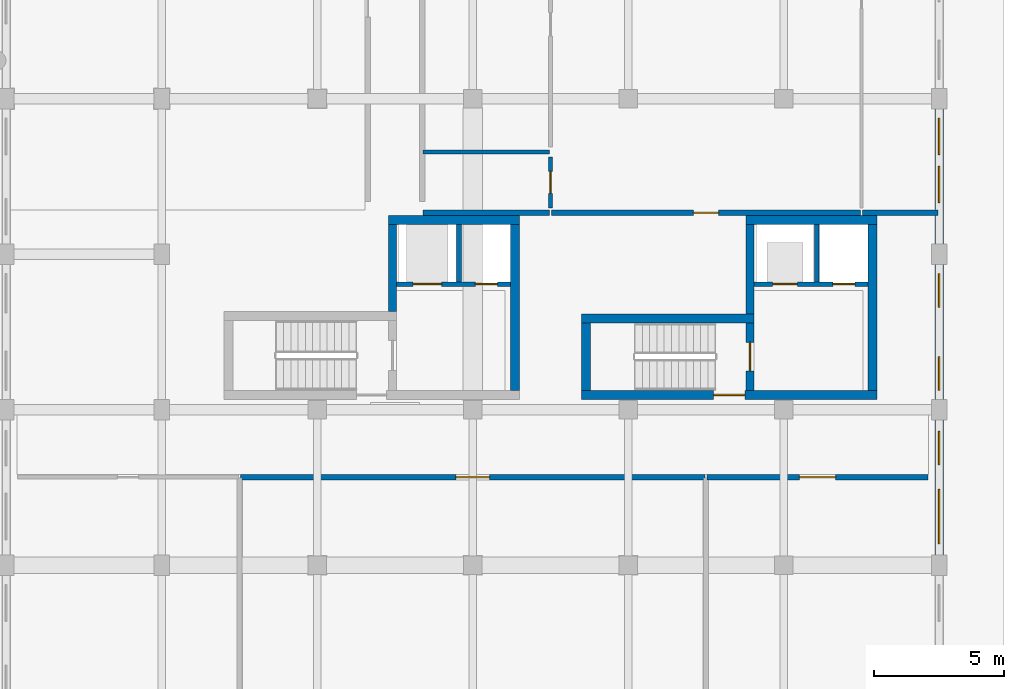
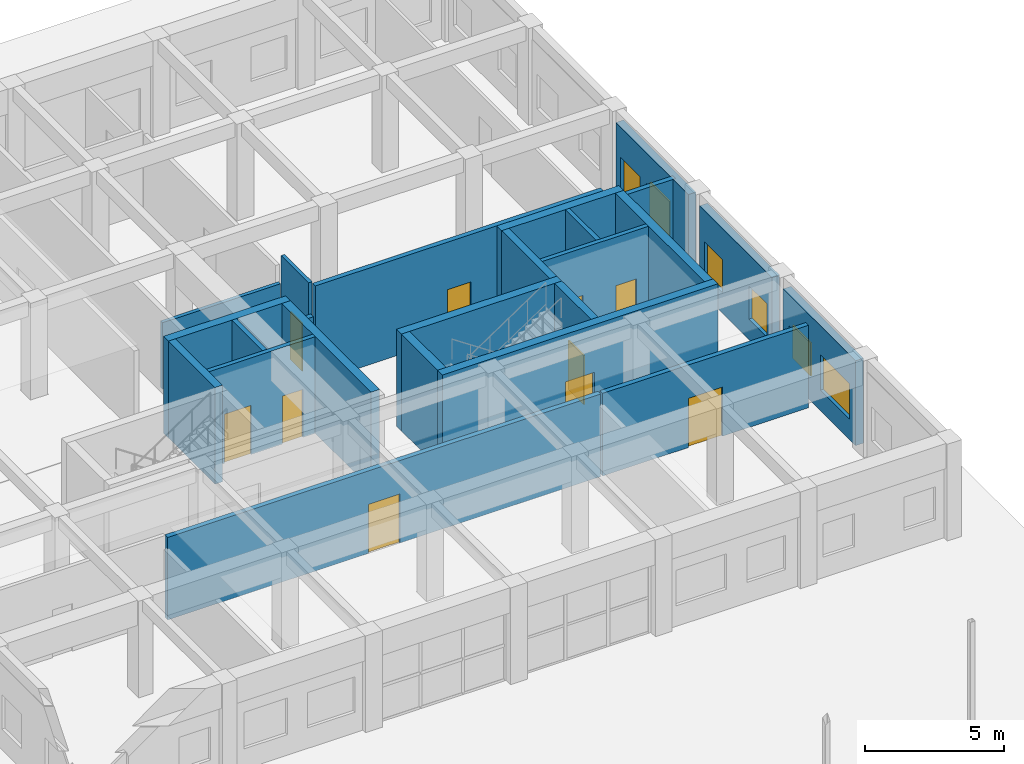
# One storey, part 62 of 76: 24 walls, 10 doors, 6 windows, 16 openings.
"""IFC4 building model written with IfcOpenShell, lengths in metres."""

from ifc_helpers import new_model, si_unit, direction, frame, frame_2d, origin, place, context, subcontext, project, spatial, rectangle, extrude, material, layer, layer_set, type_object, element, fill, save


model = new_model("IFC4")

# Units and contexts
model_context = context("Model", 3, precision=1e-05, world=origin(), true_north=direction((0.0, 1.0)))
body_context = subcontext(model_context, "Body", "Model", "MODEL_VIEW")
ifc_project = project(units=[si_unit("LENGTHUNIT", "METRE"), si_unit("AREAUNIT", "SQUARE_METRE"), si_unit("VOLUMEUNIT", "CUBIC_METRE"), si_unit("PLANEANGLEUNIT", "RADIAN"), si_unit("MASSUNIT", "GRAM", prefix="KILO"), si_unit("POWERUNIT", "WATT"), si_unit("THERMODYNAMICTEMPERATUREUNIT", "KELVIN")], contexts=[model_context])

# Site, building, storey
site_placement = place(None, origin())
site = spatial("IfcSite", under=ifc_project, at=site_placement, CompositionType="ELEMENT")
building_placement = place(site_placement, origin())
building = spatial("IfcBuilding", under=site, at=building_placement, Name="Ruvembo Vaulted Housing Court", CompositionType="ELEMENT")
storey_placement = place(building_placement, origin())
storey = spatial("IfcBuildingStorey", under=building, at=storey_placement, Name="L00", CompositionType="ELEMENT", Elevation=0.0)

# Wall
ifc_material_1 = material(Name="Concrete C35/45", Category="concrete")
ifc_layer_1 = layer(ifc_material_1, 0.300048828125, Name="Concrete C35/45")
ifc_layer_set_1 = layer_set([ifc_layer_1], Name="Concrete C35/45")
wall_type_1 = type_object("IfcWallType", Name="WL-CORE-300", PredefinedType="SHEAR", material=ifc_layer_set_1)
wall_1_placement = place(storey_placement, frame((164.89990234375, 87.800048828125, 0.0), z_axis=(0.0, 0.0, 1.0), x_axis=(0.0, 1.0, 0.0)))
element("IfcWall", 1, at=wall_1_placement, inside=storey, type_object=wall_type_1, Name="Core D1 L00 Upper West Shear Wall", PredefinedType="SHEAR", context=body_context, shape_type="SweptSolid", body=[
    extrude(rectangle(XDim=3.349853515625, YDim=0.300048828125, at=frame_2d((1.6748046875, 0.0))), origin(), (0.0, 0.0, 1.0), 4.22998046875),
])

# Wall, opening, door
wall_2_placement = place(storey_placement, frame((178.699951171875, 84.75, 0.0), z_axis=(0.0, 0.0, 1.0), x_axis=(0.0, 1.0, 0.0)))
wall_2 = element("IfcWall", 2, at=wall_2_placement, inside=storey, type_object=wall_type_1, Name="Core D2 L00 Stair-Lobby Shear Wall", PredefinedType="SHEAR", context=body_context, shape_type="SweptSolid", body=[
    extrude(rectangle(XDim=2.60009765625, YDim=0.300048828125, at=frame_2d((1.300048828125, 0.0))), origin(), (0.0, 0.0, 1.0), 4.22998046875),
])
opening_1_placement = place(wall_2_placement, frame((0.75, 0.0, 0.0)))
opening_1 = element("IfcOpeningElement", 3, at=opening_1_placement, cuts=wall_2, Name="Opening SD2", PredefinedType="OPENING", context=body_context, shape_type="SweptSolid", body=[
    extrude(rectangle(XDim=1.10009765625, YDim=2.14990234375, at=frame_2d((0.550048828125, 1.074951171875))), frame((0.0, 0.159912109375, 0.0), z_axis=(0.0, -1.0, 0.0), x_axis=(1.0, 0.0, 0.0)), (0.0, 0.0, 1.0), 0.320068359375),
])
ifc_material_2 = material(Name="Galvanised Painted Steel", Category="steel")
door_type_1 = type_object("IfcDoorType", Name="DR-STAIR-1100x2150", OperationType="NOTDEFINED", PredefinedType="DOOR", material=ifc_material_2)
door_1_placement = place(opening_1_placement, origin())
door_1 = element("IfcDoor", 4, at=door_1_placement, inside=storey, type_object=door_type_1, Name="Stair ST-D2 L00 Fire Door", OperationType="SINGLE_SWING_LEFT", OverallHeight=2.14990234375, OverallWidth=1.10009765625, PredefinedType="DOOR", context=body_context, shape_type="SweptSolid", body=[
    extrude(rectangle(XDim=1.10009765625, YDim=2.14990234375, at=frame_2d((0.550048828125, 1.074951171875))), frame((0.0, 0.02490234375, 0.0), z_axis=(0.0, -1.0, 0.0), x_axis=(1.0, 0.0, 0.0)), (0.0, 0.0, 1.0), 0.050048828125),
])
fill(opening_1, door_1)

# Walls
wall_3_placement = place(storey_placement, frame((178.699951171875, 87.699951171875, 0.0), z_axis=(0.0, 0.0, 1.0), x_axis=(0.0, 1.0, 0.0)))
element("IfcWall", 5, at=wall_3_placement, inside=storey, type_object=wall_type_1, Name="Core D2 L00 Upper West Shear Wall", PredefinedType="SHEAR", context=body_context, shape_type="SweptSolid", body=[
    extrude(rectangle(XDim=3.449951171875, YDim=0.300048828125, at=frame_2d((1.72509765625, 0.0))), origin(), (0.0, 0.0, 1.0), 4.22998046875),
])
ifc_layer_2 = layer(ifc_material_1, 0.35009765625, Name="Concrete C35/45")
ifc_layer_set_2 = layer_set([ifc_layer_2], Name="Concrete C35/45")
wall_type_2 = type_object("IfcWallType", Name="WL-CORE-350", PredefinedType="SHEAR", material=ifc_layer_set_2)
wall_4_placement = place(storey_placement, frame((169.800048828125, 91.324951171875, 0.0), z_axis=(0.0, 0.0, 1.0), x_axis=(-1.0, 0.0, 0.0)))
element("IfcWall", 6, at=wall_4_placement, inside=storey, type_object=wall_type_2, Name="Core D1 L00 North Shear Wall", PredefinedType="SHEAR", context=body_context, shape_type="SweptSolid", body=[
    extrude(rectangle(XDim=5.050048828125, YDim=0.35009765625, at=frame_2d((2.52490234375, 0.0))), origin(), (0.0, 0.0, 1.0), 4.22998046875),
])
wall_5_placement = place(storey_placement, frame((169.625, 84.75, 0.0), z_axis=(0.0, 0.0, 1.0), x_axis=(0.0, 1.0, 0.0)))
element("IfcWall", 7, at=wall_5_placement, inside=storey, type_object=wall_type_2, Name="Core D1 L00 East Shear Wall", PredefinedType="SHEAR", context=body_context, shape_type="SweptSolid", body=[
    extrude(rectangle(XDim=6.39990234375, YDim=0.35009765625, at=frame_2d((3.199951171875, 0.0))), origin(), (0.0, 0.0, 1.0), 4.22998046875),
])

# Wall, opening, door
wall_6_placement = place(storey_placement, frame((172.199951171875, 84.574951171875, 0.0), z_axis=(0.0, 0.0, 1.0), x_axis=(1.0, 0.0, 0.0)))
wall_6 = element("IfcWall", 8, at=wall_6_placement, inside=storey, type_object=wall_type_2, Name="Core D2 L00 South Shear Wall", PredefinedType="SHEAR", context=body_context, shape_type="SweptSolid", body=[
    extrude(rectangle(XDim=11.400146484375, YDim=0.35009765625, at=frame_2d((5.7001953125, 0.0))), origin(), (0.0, 0.0, 1.0), 4.22998046875),
])
opening_2_placement = place(wall_6_placement, frame((5.10009765625, 0.0, 0.0)))
opening_2 = element("IfcOpeningElement", 9, at=opening_2_placement, cuts=wall_6, Name="Opening LD3", PredefinedType="OPENING", context=body_context, shape_type="SweptSolid", body=[
    extrude(rectangle(XDim=1.199951171875, YDim=2.14990234375, at=frame_2d((0.60009765625, 1.074951171875))), frame((0.0, 0.18505859375, 0.0), z_axis=(0.0, -1.0, 0.0), x_axis=(1.0, 0.0, 0.0)), (0.0, 0.0, 1.0), 0.3701171875),
])
door_type_2 = type_object("IfcDoorType", Name="DR-LOB-1200x2150", OperationType="NOTDEFINED", PredefinedType="DOOR", material=ifc_material_2)
door_2_placement = place(opening_2_placement, origin())
door_2 = element("IfcDoor", 10, at=door_2_placement, inside=storey, type_object=door_type_2, Name="Core D2 L00 Lobby Fire Door", OperationType="SINGLE_SWING_RIGHT", OverallHeight=2.14990234375, OverallWidth=1.199951171875, PredefinedType="DOOR", context=body_context, shape_type="SweptSolid", body=[
    extrude(rectangle(XDim=1.199951171875, YDim=2.14990234375, at=frame_2d((0.60009765625, 1.074951171875))), frame((0.0, 0.02490234375, 0.0), z_axis=(0.0, -1.0, 0.0), x_axis=(1.0, 0.0, 0.0)), (0.0, 0.0, 1.0), 0.050048828125),
])
fill(opening_2, door_2)

# Walls
wall_7_placement = place(storey_placement, frame((178.85009765625, 87.52490234375, 0.0), z_axis=(0.0, 0.0, 1.0), x_axis=(-1.0, 0.0, 0.0)))
element("IfcWall", 11, at=wall_7_placement, inside=storey, type_object=wall_type_2, Name="Core D2 L00 Stair North Shear Wall", PredefinedType="SHEAR", context=body_context, shape_type="SweptSolid", body=[
    extrude(rectangle(XDim=6.650146484375, YDim=0.35009765625, at=frame_2d((3.3251953125, 0.0))), origin(), (0.0, 0.0, 1.0), 4.22998046875),
])
wall_8_placement = place(storey_placement, frame((172.375, 87.35009765625, 0.0), z_axis=(0.0, 0.0, 1.0), x_axis=(0.0, -1.0, 0.0)))
element("IfcWall", 12, at=wall_8_placement, inside=storey, type_object=wall_type_2, Name="Core D2 L00 Stair West Shear Wall", PredefinedType="SHEAR", context=body_context, shape_type="SweptSolid", body=[
    extrude(rectangle(XDim=2.60009765625, YDim=0.35009765625, at=frame_2d((1.300048828125, 0.0))), origin(), (0.0, 0.0, 1.0), 4.22998046875),
])
wall_9_placement = place(storey_placement, frame((183.60009765625, 91.324951171875, 0.0), z_axis=(0.0, 0.0, 1.0), x_axis=(-1.0, 0.0, 0.0)))
element("IfcWall", 13, at=wall_9_placement, inside=storey, type_object=wall_type_2, Name="Core D2 L00 North Shear Wall", PredefinedType="SHEAR", context=body_context, shape_type="SweptSolid", body=[
    extrude(rectangle(XDim=5.050048828125, YDim=0.35009765625, at=frame_2d((2.52490234375, 0.0))), origin(), (0.0, 0.0, 1.0), 4.22998046875),
])
wall_10_placement = place(storey_placement, frame((183.425048828125, 84.75, 0.0), z_axis=(0.0, 0.0, 1.0), x_axis=(0.0, 1.0, 0.0)))
element("IfcWall", 14, at=wall_10_placement, inside=storey, type_object=wall_type_2, Name="Core D2 L00 East Shear Wall", PredefinedType="SHEAR", context=body_context, shape_type="SweptSolid", body=[
    extrude(rectangle(XDim=6.39990234375, YDim=0.35009765625, at=frame_2d((3.199951171875, 0.0))), origin(), (0.0, 0.0, 1.0), 4.22998046875),
])

# Wall, opening, door
ifc_material_3 = material(Name="Concrete Blockwork 200", Category="masonry")
ifc_layer_3 = layer(ifc_material_3, 0.199951171875, Name="Concrete Blockwork 200")
ifc_layer_set_3 = layer_set([ifc_layer_3], Name="Concrete Blockwork 200")
wall_type_3 = type_object("IfcWallType", Name="WL-CORR-200", PredefinedType="SOLIDWALL", material=ifc_layer_set_3)
wall_11_placement = place(storey_placement, frame((159.0400390625, 81.39990234375, 0.0), z_axis=(0.0, 0.0, 1.0), x_axis=(1.0, 0.0, 0.0)))
wall_11 = element("IfcWall", 15, at=wall_11_placement, inside=storey, type_object=wall_type_3, Name="L00 Block D Lobby WL-INT-L00-00143", PredefinedType="SOLIDWALL", context=body_context, shape_type="SweptSolid", body=[
    extrude(rectangle(XDim=17.919921875, YDim=0.199951171875, at=frame_2d((8.9599609375, 0.0))), origin(), (0.0, 0.0, 1.0), 3.612060546875),
])
opening_3_placement = place(wall_11_placement, frame((8.31005859375, 0.0, 0.0)))
opening_3 = element("IfcOpeningElement", 16, at=opening_3_placement, cuts=wall_11, Name="Opening CD2", PredefinedType="OPENING", context=body_context, shape_type="SweptSolid", body=[
    extrude(rectangle(XDim=1.300048828125, YDim=2.14990234375, at=frame_2d((0.64990234375, 1.074951171875))), frame((0.0, 0.10986328125, 0.0), z_axis=(0.0, -1.0, 0.0), x_axis=(1.0, 0.0, 0.0)), (0.0, 0.0, 1.0), 0.219970703125),
])
ifc_material_4 = material(Name="FSC Hardwood and Engineered Timber", Category="wood")
door_type_3 = type_object("IfcDoorType", Name="DR-CIVIC-1300x2150", OperationType="NOTDEFINED", PredefinedType="DOOR", material=ifc_material_4)
door_3_placement = place(opening_3_placement, origin())
door_3 = element("IfcDoor", 17, at=door_3_placement, inside=storey, type_object=door_type_3, Name="L00 Block D Lobby Door DR-INT-L00-00067", OperationType="SINGLE_SWING_LEFT", OverallHeight=2.14990234375, OverallWidth=1.300048828125, PredefinedType="DOOR", context=body_context, shape_type="SweptSolid", body=[
    extrude(rectangle(XDim=1.300048828125, YDim=2.14990234375, at=frame_2d((0.64990234375, 1.074951171875))), frame((0.0, 0.02490234375, 0.0), z_axis=(0.0, -1.0, 0.0), x_axis=(1.0, 0.0, 0.0)), (0.0, 0.0, 1.0), 0.050048828125),
])
fill(opening_3, door_3)

wall_12_placement = place(storey_placement, frame((177.0400390625, 81.39990234375, 0.0), z_axis=(0.0, 0.0, 1.0), x_axis=(1.0, 0.0, 0.0)))
wall_12 = element("IfcWall", 18, at=wall_12_placement, inside=storey, type_object=wall_type_3, Name="L00 Mobility Hub D WL-INT-L00-00145", PredefinedType="SOLIDWALL", context=body_context, shape_type="SweptSolid", body=[
    extrude(rectangle(XDim=8.52001953125, YDim=0.199951171875, at=frame_2d((4.260009765625, 0.0))), origin(), (0.0, 0.0, 1.0), 3.612060546875),
])
opening_4_placement = place(wall_12_placement, frame((3.56005859375, 0.0, 0.0)))
opening_4 = element("IfcOpeningElement", 19, at=opening_4_placement, cuts=wall_12, Name="Opening CD1", PredefinedType="OPENING", context=body_context, shape_type="SweptSolid", body=[
    extrude(rectangle(XDim=1.39990234375, YDim=2.14990234375, at=frame_2d((0.699951171875, 1.074951171875))), frame((0.0, 0.10986328125, 0.0), z_axis=(0.0, -1.0, 0.0), x_axis=(1.0, 0.0, 0.0)), (0.0, 0.0, 1.0), 0.219970703125),
])
door_type_4 = type_object("IfcDoorType", Name="DR-CIVIC-1400x2150", OperationType="NOTDEFINED", PredefinedType="DOOR", material=ifc_material_4)
door_4_placement = place(opening_4_placement, origin())
door_4 = element("IfcDoor", 20, at=door_4_placement, inside=storey, type_object=door_type_4, Name="L00 Mobility Hub D Door DR-INT-L00-00068", OperationType="SINGLE_SWING_RIGHT", OverallHeight=2.14990234375, OverallWidth=1.39990234375, PredefinedType="DOOR", context=body_context, shape_type="SweptSolid", body=[
    extrude(rectangle(XDim=1.39990234375, YDim=2.14990234375, at=frame_2d((0.699951171875, 1.074951171875))), frame((0.0, 0.02490234375, 0.0), z_axis=(0.0, -1.0, 0.0), x_axis=(1.0, 0.0, 0.0)), (0.0, 0.0, 1.0), 0.050048828125),
])
fill(opening_4, door_4)

# Wall
wall_13_placement = place(storey_placement, frame((166.090087890625, 91.60009765625, 0.0), z_axis=(0.0, 0.0, 1.0), x_axis=(1.0, 0.0, 0.0)))
element("IfcWall", 21, at=wall_13_placement, inside=storey, type_object=wall_type_3, Name="L00 Flat D01 Corridor Wall WL-INT-L00-00147", PredefinedType="SOLIDWALL", context=body_context, shape_type="SweptSolid", body=[
    extrude(rectangle(XDim=4.869873046875, YDim=0.199951171875, at=frame_2d((2.43505859375, 0.0))), origin(), (0.0, 0.0, 1.0), 2.912109375),
])

# Wall, opening, door
wall_14_placement = place(storey_placement, frame((171.0400390625, 91.60009765625, 0.0), z_axis=(0.0, 0.0, 1.0), x_axis=(1.0, 0.0, 0.0)))
wall_14 = element("IfcWall", 22, at=wall_14_placement, inside=storey, type_object=wall_type_3, Name="L00 Flat D01 Entrance WL-INT-L00-00148", PredefinedType="SOLIDWALL", context=body_context, shape_type="SweptSolid", body=[
    extrude(rectangle(XDim=11.919921875, YDim=0.199951171875, at=frame_2d((5.9599609375, 0.0))), origin(), (0.0, 0.0, 1.0), 4.22998046875),
])
opening_5_placement = place(wall_14_placement, frame((5.469970703125, 0.0, 0.0)))
opening_5 = element("IfcOpeningElement", 23, at=opening_5_placement, cuts=wall_14, Name="Opening FD2", PredefinedType="OPENING", context=body_context, shape_type="SweptSolid", body=[
    extrude(rectangle(XDim=0.97998046875, YDim=2.14990234375, at=frame_2d((0.489990234375, 1.074951171875))), frame((0.0, 0.10986328125, 0.0), z_axis=(0.0, -1.0, 0.0), x_axis=(1.0, 0.0, 0.0)), (0.0, 0.0, 1.0), 0.219970703125),
])
door_type_5 = type_object("IfcDoorType", Name="DR-FLAT-0980x2150", OperationType="NOTDEFINED", PredefinedType="DOOR", material=ifc_material_4)
door_5_placement = place(opening_5_placement, origin())
door_5 = element("IfcDoor", 24, at=door_5_placement, inside=storey, type_object=door_type_5, Name="L00 Flat D01 Entrance Door DR-INT-L00-00070", OperationType="SINGLE_SWING_RIGHT", OverallHeight=2.14990234375, OverallWidth=0.97998046875, PredefinedType="DOOR", context=body_context, shape_type="SweptSolid", body=[
    extrude(rectangle(XDim=0.97998046875, YDim=2.14990234375, at=frame_2d((0.489990234375, 1.074951171875))), frame((0.0, 0.02490234375, 0.0), z_axis=(0.0, -1.0, 0.0), x_axis=(1.0, 0.0, 0.0)), (0.0, 0.0, 1.0), 0.050048828125),
])
fill(opening_5, door_5)

# Wall
wall_15_placement = place(storey_placement, frame((183.0400390625, 91.60009765625, 0.0), z_axis=(0.0, 0.0, 1.0), x_axis=(1.0, 0.0, 0.0)))
element("IfcWall", 25, at=wall_15_placement, inside=storey, type_object=wall_type_3, Name="L00 Flat D01 Corridor Wall 2 WL-INT-L00-00154", PredefinedType="SOLIDWALL", context=body_context, shape_type="SweptSolid", body=[
    extrude(rectangle(XDim=2.919921875, YDim=0.199951171875, at=frame_2d((1.4599609375, 0.0))), origin(), (0.0, 0.0, 1.0), 3.7119140625),
])

# Wall, openings, windows
ifc_material_5 = material(Name="Rendered Masonry 320", Category="masonry")
ifc_layer_4 = layer(ifc_material_5, 0.320068359375, Name="Rendered Masonry 320")
ifc_layer_set_4 = layer_set([ifc_layer_4], Name="Rendered Masonry 320")
wall_type_4 = type_object("IfcWallType", Name="WL-EXT-320", PredefinedType="STANDARD", material=ifc_layer_set_4)
wall_16_placement = place(storey_placement, frame((186.0, 78.39990234375, 0.0), z_axis=(0.0, 0.0, 1.0), x_axis=(0.0, 1.0, 0.0)))
wall_16 = element("IfcWall", 26, at=wall_16_placement, inside=storey, type_object=wall_type_4, Name="Block D L00 Exterior Wall EAST #2", PredefinedType="STANDARD", context=body_context, shape_type="SweptSolid", body=[
    extrude(rectangle(XDim=5.2001953125, YDim=0.320068359375, at=frame_2d((2.60009765625, 0.0))), origin(), (0.0, 0.0, 1.0), 3.7119140625),
])
opening_6_placement = place(wall_16_placement, frame((0.429931640625, 0.0, 0.89990234375)))
opening_6 = element("IfcOpeningElement", 27, at=opening_6_placement, cuts=wall_16, Name="Opening W25", PredefinedType="OPENING", context=body_context, shape_type="SweptSolid", body=[
    extrude(rectangle(XDim=2.10009765625, YDim=1.550048828125, at=frame_2d((1.050048828125, 0.77490234375))), frame((0.0, 0.169921875, 0.0), z_axis=(0.0, -1.0, 0.0), x_axis=(1.0, 0.0, 0.0)), (0.0, 0.0, 1.0), 0.340087890625),
])
opening_7_placement = place(wall_16_placement, frame((3.469970703125, 0.0, 0.89990234375)))
opening_7 = element("IfcOpeningElement", 28, at=opening_7_placement, cuts=wall_16, Name="Opening W15", PredefinedType="OPENING", context=body_context, shape_type="SweptSolid", body=[
    extrude(rectangle(XDim=1.300048828125, YDim=1.449951171875, at=frame_2d((0.64990234375, 0.72509765625))), frame((0.0, 0.169921875, 0.0), z_axis=(0.0, -1.0, 0.0), x_axis=(1.0, 0.0, 0.0)), (0.0, 0.0, 1.0), 0.340087890625),
])
ifc_material_6 = material(Name="Double Solar-Control Glazing in Aluminium Frame", Category="aluminium")
window_type_1 = type_object("IfcWindowType", Name="WIN-1300x1450", PartitioningType="SINGLE_PANEL", PredefinedType="WINDOW", material=ifc_material_6)
window_1_placement = place(opening_7_placement, origin())
window_1 = element("IfcWindow", 29, at=window_1_placement, inside=storey, type_object=window_type_1, Name="Block D L00 Window #1458", OverallHeight=1.449951171875, OverallWidth=1.300048828125, PartitioningType="SINGLE_PANEL", PredefinedType="WINDOW", context=body_context, shape_type="SweptSolid", body=[
    extrude(rectangle(XDim=1.300048828125, YDim=1.449951171875, at=frame_2d((0.64990234375, 0.72509765625))), frame((0.0, 0.030029296875, 0.0), z_axis=(0.0, -1.0, 0.0), x_axis=(1.0, 0.0, 0.0)), (0.0, 0.0, 1.0), 0.06005859375),
])
fill(opening_7, window_1)
window_type_2 = type_object("IfcWindowType", Name="WIN-2100x1550", PartitioningType="SINGLE_PANEL", PredefinedType="WINDOW", material=ifc_material_6)
window_2_placement = place(opening_6_placement, origin())
window_2 = element("IfcWindow", 30, at=window_2_placement, inside=storey, type_object=window_type_2, Name="Block D L00 Window #1457", OverallHeight=1.550048828125, OverallWidth=2.10009765625, PartitioningType="SINGLE_PANEL", PredefinedType="WINDOW", context=body_context, shape_type="SweptSolid", body=[
    extrude(rectangle(XDim=2.10009765625, YDim=1.550048828125, at=frame_2d((1.050048828125, 0.77490234375))), frame((0.0, 0.030029296875, 0.0), z_axis=(0.0, -1.0, 0.0), x_axis=(1.0, 0.0, 0.0)), (0.0, 0.0, 1.0), 0.06005859375),
])
fill(opening_6, window_2)

wall_17_placement = place(storey_placement, frame((186.0, 84.39990234375, 0.0), z_axis=(0.0, 0.0, 1.0), x_axis=(0.0, 1.0, 0.0)))
wall_17 = element("IfcWall", 31, at=wall_17_placement, inside=storey, type_object=wall_type_4, Name="Block D L00 Exterior Wall EAST #3", PredefinedType="STANDARD", context=body_context, shape_type="SweptSolid", body=[
    extrude(rectangle(XDim=5.2001953125, YDim=0.320068359375, at=frame_2d((2.60009765625, 0.0))), origin(), (0.0, 0.0, 1.0), 3.7119140625),
])
opening_8_placement = place(wall_17_placement, frame((0.35009765625, 0.0, 0.89990234375)))
opening_8 = element("IfcOpeningElement", 32, at=opening_8_placement, cuts=wall_17, Name="Opening W15", PredefinedType="OPENING", context=body_context, shape_type="SweptSolid", body=[
    extrude(rectangle(XDim=1.300048828125, YDim=1.449951171875, at=frame_2d((0.64990234375, 0.72509765625))), frame((0.0, 0.169921875, 0.0), z_axis=(0.0, -1.0, 0.0), x_axis=(1.0, 0.0, 0.0)), (0.0, 0.0, 1.0), 0.340087890625),
])
opening_9_placement = place(wall_17_placement, frame((3.550048828125, 0.0, 0.89990234375)))
opening_9 = element("IfcOpeningElement", 33, at=opening_9_placement, cuts=wall_17, Name="Opening W15", PredefinedType="OPENING", context=body_context, shape_type="SweptSolid", body=[
    extrude(rectangle(XDim=1.300048828125, YDim=1.449951171875, at=frame_2d((0.64990234375, 0.72509765625))), frame((0.0, 0.169921875, 0.0), z_axis=(0.0, -1.0, 0.0), x_axis=(1.0, 0.0, 0.0)), (0.0, 0.0, 1.0), 0.340087890625),
])
window_3_placement = place(opening_8_placement, origin())
window_3 = element("IfcWindow", 34, at=window_3_placement, inside=storey, type_object=window_type_1, Name="Block D L00 Window #1459", OverallHeight=1.449951171875, OverallWidth=1.300048828125, PartitioningType="SINGLE_PANEL", PredefinedType="WINDOW", context=body_context, shape_type="SweptSolid", body=[
    extrude(rectangle(XDim=1.300048828125, YDim=1.449951171875, at=frame_2d((0.64990234375, 0.72509765625))), frame((0.0, 0.030029296875, 0.0), z_axis=(0.0, -1.0, 0.0), x_axis=(1.0, 0.0, 0.0)), (0.0, 0.0, 1.0), 0.06005859375),
])
fill(opening_8, window_3)
window_4_placement = place(opening_9_placement, origin())
window_4 = element("IfcWindow", 35, at=window_4_placement, inside=storey, type_object=window_type_1, Name="Block D L00 Window #1460", OverallHeight=1.449951171875, OverallWidth=1.300048828125, PartitioningType="SINGLE_PANEL", PredefinedType="WINDOW", context=body_context, shape_type="SweptSolid", body=[
    extrude(rectangle(XDim=1.300048828125, YDim=1.449951171875, at=frame_2d((0.64990234375, 0.72509765625))), frame((0.0, 0.030029296875, 0.0), z_axis=(0.0, -1.0, 0.0), x_axis=(1.0, 0.0, 0.0)), (0.0, 0.0, 1.0), 0.06005859375),
])
fill(opening_9, window_4)

wall_18_placement = place(storey_placement, frame((186.0, 90.39990234375, 0.0), z_axis=(0.0, 0.0, 1.0), x_axis=(0.0, 1.0, 0.0)))
wall_18 = element("IfcWall", 36, at=wall_18_placement, inside=storey, type_object=wall_type_4, Name="Block D L00 Exterior Wall EAST #4", PredefinedType="STANDARD", context=body_context, shape_type="SweptSolid", body=[
    extrude(rectangle(XDim=5.2001953125, YDim=0.320068359375, at=frame_2d((2.60009765625, 0.0))), origin(), (0.0, 0.0, 1.0), 3.7119140625),
])
opening_10_placement = place(wall_18_placement, frame((1.590087890625, 0.0, 0.89990234375)))
opening_10 = element("IfcOpeningElement", 37, at=opening_10_placement, cuts=wall_18, Name="Opening W17", PredefinedType="OPENING", context=body_context, shape_type="SweptSolid", body=[
    extrude(rectangle(XDim=1.39990234375, YDim=1.5, at=frame_2d((0.699951171875, 0.75))), frame((0.0, 0.169921875, 0.0), z_axis=(0.0, -1.0, 0.0), x_axis=(1.0, 0.0, 0.0)), (0.0, 0.0, 1.0), 0.340087890625),
])
opening_11_placement = place(wall_18_placement, frame((3.449951171875, 0.0, 0.89990234375)))
opening_11 = element("IfcOpeningElement", 38, at=opening_11_placement, cuts=wall_18, Name="Opening W17", PredefinedType="OPENING", context=body_context, shape_type="SweptSolid", body=[
    extrude(rectangle(XDim=1.39990234375, YDim=1.5, at=frame_2d((0.699951171875, 0.75))), frame((0.0, 0.169921875, 0.0), z_axis=(0.0, -1.0, 0.0), x_axis=(1.0, 0.0, 0.0)), (0.0, 0.0, 1.0), 0.340087890625),
])
window_type_3 = type_object("IfcWindowType", Name="WIN-1400x1500", PartitioningType="SINGLE_PANEL", PredefinedType="WINDOW", material=ifc_material_6)
window_5_placement = place(opening_10_placement, origin())
window_5 = element("IfcWindow", 39, at=window_5_placement, inside=storey, type_object=window_type_3, Name="Block D L00 Window #1461", OverallHeight=1.5, OverallWidth=1.39990234375, PartitioningType="SINGLE_PANEL", PredefinedType="WINDOW", context=body_context, shape_type="SweptSolid", body=[
    extrude(rectangle(XDim=1.39990234375, YDim=1.5, at=frame_2d((0.699951171875, 0.75))), frame((0.0, 0.030029296875, 0.0), z_axis=(0.0, -1.0, 0.0), x_axis=(1.0, 0.0, 0.0)), (0.0, 0.0, 1.0), 0.06005859375),
])
fill(opening_10, window_5)
window_6_placement = place(opening_11_placement, origin())
window_6 = element("IfcWindow", 40, at=window_6_placement, inside=storey, type_object=window_type_3, Name="Block D L00 Window #1462", OverallHeight=1.5, OverallWidth=1.39990234375, PartitioningType="SINGLE_PANEL", PredefinedType="WINDOW", context=body_context, shape_type="SweptSolid", body=[
    extrude(rectangle(XDim=1.39990234375, YDim=1.5, at=frame_2d((0.699951171875, 0.75))), frame((0.0, 0.030029296875, 0.0), z_axis=(0.0, -1.0, 0.0), x_axis=(1.0, 0.0, 0.0)), (0.0, 0.0, 1.0), 0.06005859375),
])
fill(opening_11, window_6)

# Wall, opening, door
ifc_material_7 = material(Name="Moisture-Resistant Wet Partition 150", Category="gypsum")
ifc_layer_5 = layer(ifc_material_7, 0.14990234375, Name="Moisture-Resistant Wet Partition 150")
ifc_layer_set_5 = layer_set([ifc_layer_5], Name="Moisture-Resistant Wet Partition 150")
wall_type_5 = type_object("IfcWallType", Name="WL-PART-150", PredefinedType="PARTITIONING", material=ifc_layer_set_5)
wall_19_placement = place(storey_placement, frame((171.0, 91.7900390625, 0.0), z_axis=(0.0, 0.0, 1.0), x_axis=(0.0, 1.0, 0.0)))
wall_19 = element("IfcWall", 41, at=wall_19_placement, inside=storey, type_object=wall_type_5, Name="L00 Flat D01 Bathroom WL-INT-L00-00151", PredefinedType="PARTITIONING", context=body_context, shape_type="SweptSolid", body=[
    extrude(rectangle(XDim=1.969970703125, YDim=0.14990234375, at=frame_2d((0.98486328125, 0.0))), origin(), (0.0, 0.0, 1.0), 4.22998046875),
])
opening_12_placement = place(wall_19_placement, frame((0.56005859375, 0.0, 0.0)))
opening_12 = element("IfcOpeningElement", 42, at=opening_12_placement, cuts=wall_19, Name="Opening ID2", PredefinedType="OPENING", context=body_context, shape_type="SweptSolid", body=[
    extrude(rectangle(XDim=0.85009765625, YDim=2.10009765625, at=frame_2d((0.425048828125, 1.050048828125))), frame((0.0, 0.0849609375, 0.0), z_axis=(0.0, -1.0, 0.0), x_axis=(1.0, 0.0, 0.0)), (0.0, 0.0, 1.0), 0.169921875),
])
door_type_6 = type_object("IfcDoorType", Name="DR-WET-0850x2100", OperationType="NOTDEFINED", PredefinedType="DOOR", material=ifc_material_4)
door_6_placement = place(opening_12_placement, origin())
door_6 = element("IfcDoor", 43, at=door_6_placement, inside=storey, type_object=door_type_6, Name="L00 Flat D01 Bathroom Door DR-INT-L00-00073", OperationType="SINGLE_SWING_LEFT", OverallHeight=2.10009765625, OverallWidth=0.85009765625, PredefinedType="DOOR", context=body_context, shape_type="SweptSolid", body=[
    extrude(rectangle(XDim=0.85009765625, YDim=2.10009765625, at=frame_2d((0.425048828125, 1.050048828125))), frame((0.0, 0.02490234375, 0.0), z_axis=(0.0, -1.0, 0.0), x_axis=(1.0, 0.0, 0.0)), (0.0, 0.0, 1.0), 0.050048828125),
])
fill(opening_12, door_6)

# Wall
wall_20_placement = place(storey_placement, frame((166.090087890625, 93.949951171875, 0.0), z_axis=(0.0, 0.0, 1.0), x_axis=(1.0, 0.0, 0.0)))
element("IfcWall", 44, at=wall_20_placement, inside=storey, type_object=wall_type_5, Name="L00 Flat D01 Wet Wall 2 WL-INT-L00-00153", PredefinedType="PARTITIONING", context=body_context, shape_type="SweptSolid", body=[
    extrude(rectangle(XDim=4.869873046875, YDim=0.14990234375, at=frame_2d((2.43505859375, 0.0))), origin(), (0.0, 0.0, 1.0), 2.912109375),
])

# Wall, openings, doors
ifc_material_8 = material(Name="Fire-Rated Masonry Shaft 180", Category="masonry")
ifc_layer_6 = layer(ifc_material_8, 0.179931640625, Name="Fire-Rated Masonry Shaft 180")
ifc_layer_set_6 = layer_set([ifc_layer_6], Name="Fire-Rated Masonry Shaft 180")
wall_type_6 = type_object("IfcWallType", Name="WL-SHAFT-180", PredefinedType="SOLIDWALL", material=ifc_layer_set_6)
wall_21_placement = place(storey_placement, frame((165.050048828125, 88.85009765625, 0.0), z_axis=(0.0, 0.0, 1.0), x_axis=(1.0, 0.0, 0.0)))
wall_21 = element("IfcWall", 45, at=wall_21_placement, inside=storey, type_object=wall_type_6, Name="Core D1 L00 Lift and Riser Front Wall", PredefinedType="SOLIDWALL", context=body_context, shape_type="SweptSolid", body=[
    extrude(rectangle(XDim=4.39990234375, YDim=0.179931640625, at=frame_2d((2.199951171875, 0.0))), origin(), (0.0, 0.0, 1.0), 4.22998046875),
])
opening_13_placement = place(wall_21_placement, frame((0.64990234375, 0.0, 0.0)))
opening_13 = element("IfcOpeningElement", 46, at=opening_13_placement, cuts=wall_21, Name="Opening LD-LP-D1-L00", PredefinedType="OPENING", context=body_context, shape_type="SweptSolid", body=[
    extrude(rectangle(XDim=1.10009765625, YDim=2.14990234375, at=frame_2d((0.550048828125, 1.074951171875))), frame((0.0, 0.099853515625, 0.0), z_axis=(0.0, -1.0, 0.0), x_axis=(1.0, 0.0, 0.0)), (0.0, 0.0, 1.0), 0.199951171875),
])
opening_14_placement = place(wall_21_placement, frame((3.050048828125, 0.0, 0.0)))
opening_14 = element("IfcOpeningElement", 47, at=opening_14_placement, cuts=wall_21, Name="Opening RD1", PredefinedType="OPENING", context=body_context, shape_type="SweptSolid", body=[
    extrude(rectangle(XDim=0.85009765625, YDim=2.10009765625, at=frame_2d((0.425048828125, 1.050048828125))), frame((0.0, 0.099853515625, 0.0), z_axis=(0.0, -1.0, 0.0), x_axis=(1.0, 0.0, 0.0)), (0.0, 0.0, 1.0), 0.199951171875),
])
ifc_material_9 = material(Name="Brushed Stainless Steel 304", Category="steel")
door_type_7 = type_object("IfcDoorType", Name="DR-LIFT-1100x2150", OperationType="NOTDEFINED", PredefinedType="DOOR", material=ifc_material_9)
door_7_placement = place(opening_13_placement, origin())
door_7 = element("IfcDoor", 48, at=door_7_placement, inside=storey, type_object=door_type_7, Name="Lift LP-D1 L00 Sliding Landing Door", OperationType="SLIDING_TO_LEFT", OverallHeight=2.14990234375, OverallWidth=1.10009765625, PredefinedType="DOOR", context=body_context, shape_type="SweptSolid", body=[
    extrude(rectangle(XDim=1.10009765625, YDim=2.14990234375, at=frame_2d((0.550048828125, 1.074951171875))), frame((0.0, 0.02490234375, 0.0), z_axis=(0.0, -1.0, 0.0), x_axis=(1.0, 0.0, 0.0)), (0.0, 0.0, 1.0), 0.050048828125),
])
fill(opening_13, door_7)
door_type_8 = type_object("IfcDoorType", Name="DR-RISER-0850x2100", OperationType="NOTDEFINED", PredefinedType="DOOR", material=ifc_material_2)
door_8_placement = place(opening_14_placement, frame((0.85009765625, 0.0, 0.0), z_axis=(0.0, 0.0, 1.0), x_axis=(-1.0, 0.0, 0.0)))
door_8 = element("IfcDoor", 49, at=door_8_placement, inside=storey, type_object=door_type_8, Name="Core D1 L00 Service Riser Door", OperationType="SINGLE_SWING_RIGHT", OverallHeight=2.10009765625, OverallWidth=0.85009765625, PredefinedType="DOOR", context=body_context, shape_type="SweptSolid", body=[
    extrude(rectangle(XDim=0.85009765625, YDim=2.10009765625, at=frame_2d((0.425048828125, 1.050048828125))), frame((0.0, 0.02490234375, 0.0), z_axis=(0.0, -1.0, 0.0), x_axis=(1.0, 0.0, 0.0)), (0.0, 0.0, 1.0), 0.050048828125),
])
fill(opening_14, door_8)

# Wall
wall_22_placement = place(storey_placement, frame((167.469970703125, 88.93994140625, 0.0), z_axis=(0.0, 0.0, 1.0), x_axis=(0.0, 1.0, 0.0)))
element("IfcWall", 50, at=wall_22_placement, inside=storey, type_object=wall_type_6, Name="Core D1 L00 Shaft-Riser Divider Wall", PredefinedType="SOLIDWALL", context=body_context, shape_type="SweptSolid", body=[
    extrude(rectangle(XDim=2.2099609375, YDim=0.179931640625, at=frame_2d((1.10498046875, 0.0))), origin(), (0.0, 0.0, 1.0), 4.22998046875),
])

# Wall, openings, doors
wall_23_placement = place(storey_placement, frame((178.85009765625, 88.85009765625, 0.0), z_axis=(0.0, 0.0, 1.0), x_axis=(1.0, 0.0, 0.0)))
wall_23 = element("IfcWall", 51, at=wall_23_placement, inside=storey, type_object=wall_type_6, Name="Core D2 L00 Lift and Riser Front Wall", PredefinedType="SOLIDWALL", context=body_context, shape_type="SweptSolid", body=[
    extrude(rectangle(XDim=4.39990234375, YDim=0.179931640625, at=frame_2d((2.199951171875, 0.0))), origin(), (0.0, 0.0, 1.0), 4.22998046875),
])
opening_15_placement = place(wall_23_placement, frame((0.72509765625, 0.0, 0.0)))
opening_15 = element("IfcOpeningElement", 52, at=opening_15_placement, cuts=wall_23, Name="Opening LD-LP-D2-L00", PredefinedType="OPENING", context=body_context, shape_type="SweptSolid", body=[
    extrude(rectangle(XDim=0.949951171875, YDim=2.14990234375, at=frame_2d((0.47509765625, 1.074951171875))), frame((0.0, 0.099853515625, 0.0), z_axis=(0.0, -1.0, 0.0), x_axis=(1.0, 0.0, 0.0)), (0.0, 0.0, 1.0), 0.199951171875),
])
opening_16_placement = place(wall_23_placement, frame((3.050048828125, 0.0, 0.0)))
opening_16 = element("IfcOpeningElement", 53, at=opening_16_placement, cuts=wall_23, Name="Opening RD1", PredefinedType="OPENING", context=body_context, shape_type="SweptSolid", body=[
    extrude(rectangle(XDim=0.85009765625, YDim=2.10009765625, at=frame_2d((0.425048828125, 1.050048828125))), frame((0.0, 0.099853515625, 0.0), z_axis=(0.0, -1.0, 0.0), x_axis=(1.0, 0.0, 0.0)), (0.0, 0.0, 1.0), 0.199951171875),
])
door_type_9 = type_object("IfcDoorType", Name="DR-LIFT-0950x2150", OperationType="NOTDEFINED", PredefinedType="DOOR", material=ifc_material_9)
door_9_placement = place(opening_15_placement, origin())
door_9 = element("IfcDoor", 54, at=door_9_placement, inside=storey, type_object=door_type_9, Name="Lift LP-D2 L00 Sliding Landing Door", OperationType="SLIDING_TO_LEFT", OverallHeight=2.14990234375, OverallWidth=0.949951171875, PredefinedType="DOOR", context=body_context, shape_type="SweptSolid", body=[
    extrude(rectangle(XDim=0.949951171875, YDim=2.14990234375, at=frame_2d((0.47509765625, 1.074951171875))), frame((0.0, 0.02490234375, 0.0), z_axis=(0.0, -1.0, 0.0), x_axis=(1.0, 0.0, 0.0)), (0.0, 0.0, 1.0), 0.050048828125),
])
fill(opening_15, door_9)
door_10_placement = place(opening_16_placement, frame((0.85009765625, 0.0, 0.0), z_axis=(0.0, 0.0, 1.0), x_axis=(-1.0, 0.0, 0.0)))
door_10 = element("IfcDoor", 55, at=door_10_placement, inside=storey, type_object=door_type_8, Name="Core D2 L00 Service Riser Door", OperationType="SINGLE_SWING_RIGHT", OverallHeight=2.10009765625, OverallWidth=0.85009765625, PredefinedType="DOOR", context=body_context, shape_type="SweptSolid", body=[
    extrude(rectangle(XDim=0.85009765625, YDim=2.10009765625, at=frame_2d((0.425048828125, 1.050048828125))), frame((0.0, 0.02490234375, 0.0), z_axis=(0.0, -1.0, 0.0), x_axis=(1.0, 0.0, 0.0)), (0.0, 0.0, 1.0), 0.050048828125),
])
fill(opening_16, door_10)

# Wall
wall_24_placement = place(storey_placement, frame((181.27001953125, 88.93994140625, 0.0), z_axis=(0.0, 0.0, 1.0), x_axis=(0.0, 1.0, 0.0)))
element("IfcWall", 56, at=wall_24_placement, inside=storey, type_object=wall_type_6, Name="Core D2 L00 Shaft-Riser Divider Wall", PredefinedType="SOLIDWALL", context=body_context, shape_type="SweptSolid", body=[
    extrude(rectangle(XDim=2.2099609375, YDim=0.179931640625, at=frame_2d((1.10498046875, 0.0))), origin(), (0.0, 0.0, 1.0), 4.22998046875),
])

save(model, "model.ifc")
